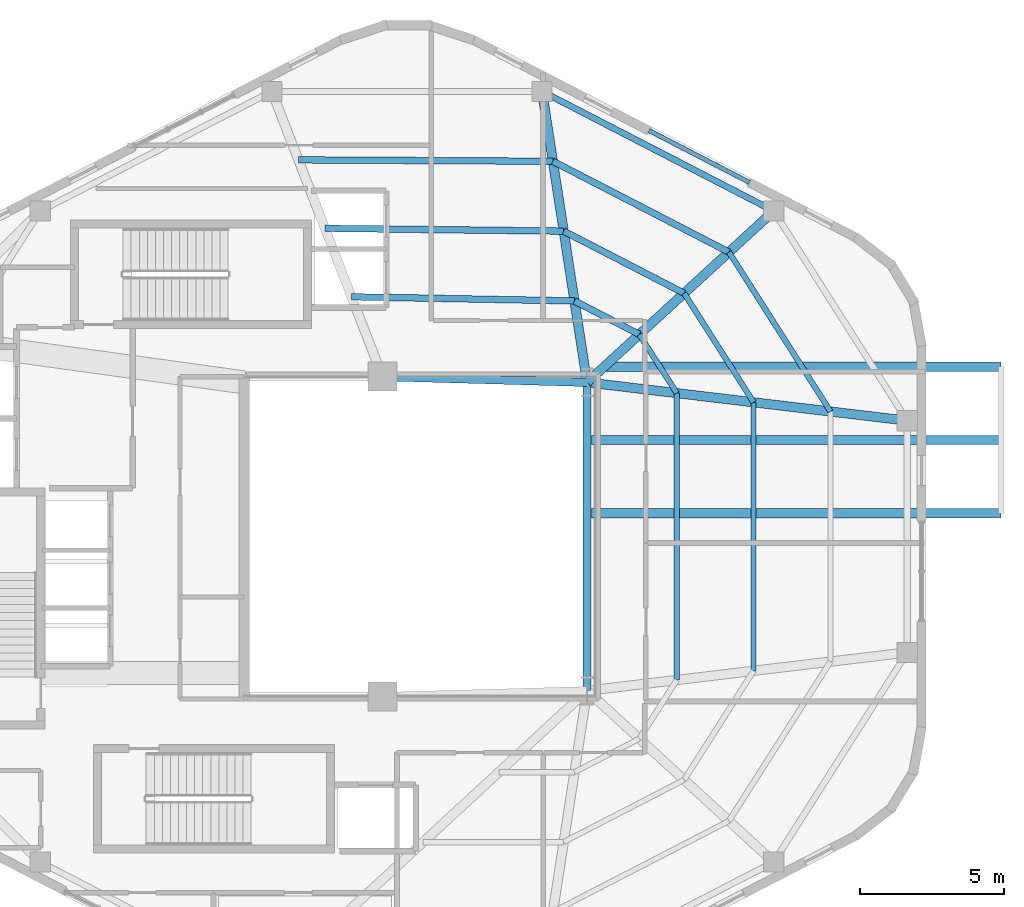
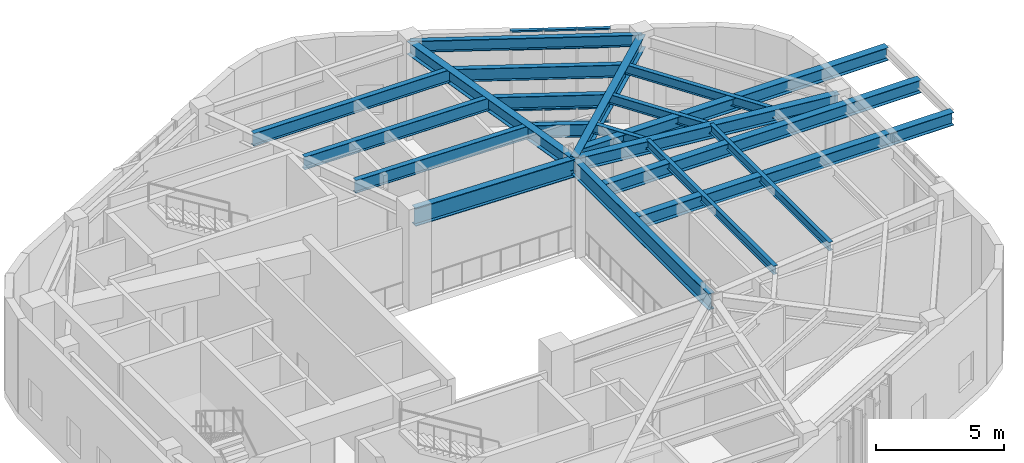
# One storey, part 7 of 18: 20 beams, 4 members, 1 element without a shape of its own.
"""IFC4 building model written with IfcOpenShell, lengths in metres."""

from ifc_helpers import new_model, si_unit, direction, frame, origin, origin_2d, place, context, subcontext, project, spatial, hollow_rectangle, i_section, extrude, material, layer, layer_set, material_profile, profile_set, type_object, element, aggregate, save


model = new_model("IFC4")

# Units and contexts
model_context = context("Model", 3, precision=1e-05, world=origin(), true_north=direction((0.0, 1.0)))
body_context = subcontext(model_context, "Body", "Model", "MODEL_VIEW")
ifc_project = project(units=[si_unit("LENGTHUNIT", "METRE"), si_unit("AREAUNIT", "SQUARE_METRE"), si_unit("VOLUMEUNIT", "CUBIC_METRE"), si_unit("PLANEANGLEUNIT", "RADIAN"), si_unit("MASSUNIT", "GRAM", prefix="KILO"), si_unit("THERMODYNAMICTEMPERATUREUNIT", "KELVIN"), si_unit("POWERUNIT", "WATT")], contexts=[model_context])

# Site, building, storey
site_placement = place(None, origin())
site = spatial("IfcSite", under=ifc_project, at=site_placement, CompositionType="ELEMENT")
building_placement = place(site_placement, origin())
building = spatial("IfcBuilding", under=site, at=building_placement, Name="Skarre Station Tower", CompositionType="ELEMENT")
storey_placement = place(building_placement, frame((0.0, 0.0, 270.300048828125)))
storey = spatial("IfcBuildingStorey", under=building, at=storey_placement, Name="L74", CompositionType="ELEMENT", Elevation=270.300048828125)

# Curtain wall, members
ifc_material_1 = material(Name="Thermally Broken Bronze-Anodized Aluminium & Triple Low-E Glass", Category="aluminium")
ifc_layer = layer(ifc_material_1, 0.219970703125, Name="Thermally Broken Bronze-Anodized Aluminium & Triple Low-E Glass")
ifc_layer_set = layer_set([ifc_layer], Name="Thermally Broken Bronze-Anodized Aluminium & Triple Low-E Glass")
curtain_wall_type = type_object("IfcCurtainWallType", Name="Observation Deck Panorama Unitised Curtain Wall", PredefinedType="NOTDEFINED", material=ifc_layer_set)
curtain_wall_placement = place(storey_placement, origin())
curtain_wall = element("IfcCurtainWall", 1, at=curtain_wall_placement, inside=storey, type_object=curtain_wall_type, Name="L74 Facet 0 Observatory Curtain Wall", PredefinedType="NOTDEFINED")
ifc_material_2 = material(Name="Anodized Aluminium 6063-T6", Category="aluminium")
ifc_material_profile_1 = material_profile(ifc_material_2, hollow_rectangle(XDim=0.074951171875, YDim=0.14990234375, WallThickness=0.00390625, at=origin_2d()), Name="Anodized Aluminium 6063-T6")
ifc_profile_set_1 = profile_set([ifc_material_profile_1], Name="Anodized Aluminium 6063-T6")
member_type = type_object("IfcMemberType", Name="Curtain-Wall Secondary Transom 150x75", PredefinedType="USERDEFINED", material=ifc_profile_set_1)
member_1_placement = place(storey_placement, frame((41.60009765625, 38.089111328125, 0.0400390625), z_axis=(0.888470771822, -0.458933206053, 0.0), x_axis=(0.0, 0.0, 1.0)))
member_1 = element("IfcMember", 2, at=member_1_placement, type_object=member_type, Name="L74 Facet 0 Observatory Curtain Wall Transom 1", ObjectType="TRANSOM", PredefinedType="USERDEFINED", context=body_context, shape_type="SweptSolid", body=[
    extrude(hollow_rectangle(XDim=0.074951171875, YDim=0.14990234375, WallThickness=0.00390625, at=origin_2d()), origin(), (0.0, 0.0, 1.0), 3.920166015625),
])
member_2_placement = place(storey_placement, frame((41.60009765625, 38.089111328125, 0.699951171875), z_axis=(0.888470771822, -0.458933206053, 0.0), x_axis=(0.0, 0.0, 1.0)))
member_2 = element("IfcMember", 3, at=member_2_placement, type_object=member_type, Name="L74 Facet 0 Observatory Curtain Wall Transom 2", ObjectType="TRANSOM", PredefinedType="USERDEFINED", context=body_context, shape_type="SweptSolid", body=[
    extrude(hollow_rectangle(XDim=0.074951171875, YDim=0.14990234375, WallThickness=0.00390625, at=origin_2d()), origin(), (0.0, 0.0, 1.0), 3.920166015625),
])
member_3_placement = place(storey_placement, frame((41.60009765625, 38.089111328125, 3.58984375), z_axis=(0.888470771822, -0.458933206053, 0.0), x_axis=(0.0, 0.0, 1.0)))
member_3 = element("IfcMember", 4, at=member_3_placement, type_object=member_type, Name="L74 Facet 0 Observatory Curtain Wall Transom 3", ObjectType="TRANSOM", PredefinedType="USERDEFINED", context=body_context, shape_type="SweptSolid", body=[
    extrude(hollow_rectangle(XDim=0.074951171875, YDim=0.14990234375, WallThickness=0.00390625, at=origin_2d()), origin(), (0.0, 0.0, 1.0), 3.920166015625),
])
member_4_placement = place(storey_placement, frame((41.60009765625, 38.089111328125, 4.449951171875), z_axis=(0.888470771822, -0.458933206053, 0.0), x_axis=(0.0, 0.0, 1.0)))
member_4 = element("IfcMember", 5, at=member_4_placement, type_object=member_type, Name="L74 Facet 0 Observatory Curtain Wall Transom 4", ObjectType="TRANSOM", PredefinedType="USERDEFINED", context=body_context, shape_type="SweptSolid", body=[
    extrude(hollow_rectangle(XDim=0.074951171875, YDim=0.14990234375, WallThickness=0.00390625, at=origin_2d()), origin(), (0.0, 0.0, 1.0), 3.920166015625),
])
aggregate(curtain_wall, [member_1, member_2, member_3, member_4])

# Beams
ifc_material_3 = material(Name="Steel ASTM A992 Grade 50", Category="steel")
ifc_material_profile_2 = material_profile(ifc_material_3, i_section(OverallWidth=0.323974609375, OverallDepth=0.611083984375, WebThickness=0.012939453125, FlangeThickness=0.01904296875, at=origin_2d()), Name="Steel ASTM A992 Grade 50")
ifc_profile_set_2 = profile_set([ifc_material_profile_2], Name="Steel ASTM A992 Grade 50")
beam_type_1 = type_object("IfcBeamType", Name="Steel Beam W24X104", PredefinedType="BEAM", material=ifc_profile_set_2)
beam_1_placement = place(storey_placement, frame((39.449951171875, 29.35009765625, 4.18505859375), z_axis=(0.736547671183, 0.676385635621, 0.0), x_axis=(-0.676385635621, 0.736547671183, 0.0)))
element("IfcBeam", 6, at=beam_1_placement, inside=storey, type_object=beam_type_1, Name="L74 Radial Floor Girder F0C1", PredefinedType="BEAM", context=body_context, shape_type="SweptSolid", body=[
    extrude(i_section(OverallWidth=0.323974609375, OverallDepth=0.611083984375, WebThickness=0.012939453125, FlangeThickness=0.01904296875, at=origin_2d()), origin(), (0.0, 0.0, 1.0), 8.793701171875),
])
beam_2_placement = place(storey_placement, frame((39.449951171875, 29.35009765625, 4.18505859375), z_axis=(-0.152789762931, 0.988258715288, 0.0), x_axis=(-0.988258715288, -0.152789762931, 0.0)))
element("IfcBeam", 7, at=beam_2_placement, inside=storey, type_object=beam_type_1, Name="L74 Radial Floor Girder F0C2", PredefinedType="BEAM", context=body_context, shape_type="SweptSolid", body=[
    extrude(i_section(OverallWidth=0.323974609375, OverallDepth=0.611083984375, WebThickness=0.012939453125, FlangeThickness=0.01904296875, at=origin_2d()), origin(), (0.0, 0.0, 1.0), 10.216796875),
])
beam_3_placement = place(storey_placement, frame((39.449951171875, 29.35009765625, 4.18505859375), z_axis=(0.99292393128, -0.118752122891, 0.0), x_axis=(0.118752122891, 0.99292393128, 0.0)))
element("IfcBeam", 8, at=beam_3_placement, inside=storey, type_object=beam_type_1, Name="L74 Radial Floor Girder F5C2", PredefinedType="BEAM", context=body_context, shape_type="SweptSolid", body=[
    extrude(i_section(OverallWidth=0.323974609375, OverallDepth=0.611083984375, WebThickness=0.012939453125, FlangeThickness=0.01904296875, at=origin_2d()), origin(), (0.0, 0.0, 1.0), 11.192138671875),
])
beam_4_placement = place(storey_placement, frame((39.449951171875, 27.35107421875, 4.1298828125), z_axis=(1.0, 0.0, 0.0), x_axis=(0.0, 1.0, 0.0)))
element("IfcBeam", 9, at=beam_4_placement, inside=storey, type_object=beam_type_1, Name="L74 LOOKOUT-L75 Center Outrigger Beam", PredefinedType="BEAM", context=body_context, shape_type="SweptSolid", body=[
    extrude(i_section(OverallWidth=0.323974609375, OverallDepth=0.611083984375, WebThickness=0.012939453125, FlangeThickness=0.01904296875, at=origin_2d()), origin(), (0.0, 0.0, 1.0), 14.373046875),
])
beam_5_placement = place(storey_placement, frame((40.047119140625, 29.89794921875, 4.1298828125), z_axis=(1.0, 0.0, 0.0), x_axis=(0.0, 1.0, 0.0)))
element("IfcBeam", 10, at=beam_5_placement, inside=storey, type_object=beam_type_1, Name="L74 LOOKOUT-L75 Outrigger Beam 1", PredefinedType="BEAM", context=body_context, shape_type="SweptSolid", body=[
    extrude(i_section(OverallWidth=0.323974609375, OverallDepth=0.611083984375, WebThickness=0.012939453125, FlangeThickness=0.01904296875, at=origin_2d()), origin(), (0.0, 0.0, 1.0), 13.77587890625),
])
beam_6_placement = place(storey_placement, frame((39.449951171875, 24.803955078125, 4.1298828125), z_axis=(1.0, 0.0, 0.0), x_axis=(0.0, 1.0, 0.0)))
element("IfcBeam", 11, at=beam_6_placement, inside=storey, type_object=beam_type_1, Name="L74 LOOKOUT-L75 Outrigger Beam 2", PredefinedType="BEAM", context=body_context, shape_type="SweptSolid", body=[
    extrude(i_section(OverallWidth=0.323974609375, OverallDepth=0.611083984375, WebThickness=0.012939453125, FlangeThickness=0.01904296875, at=origin_2d()), origin(), (0.0, 0.0, 1.0), 14.373046875),
])
ifc_material_profile_3 = material_profile(ifc_material_3, i_section(OverallWidth=0.26806640625, OverallDepth=0.77001953125, WebThickness=0.01611328125, FlangeThickness=0.02490234375, at=origin_2d()), Name="Steel ASTM A992 Grade 50")
ifc_profile_set_3 = profile_set([ifc_material_profile_3], Name="Steel ASTM A992 Grade 50")
beam_type_2 = type_object("IfcBeamType", Name="Steel Beam W30X132", PredefinedType="BEAM", material=ifc_profile_set_3)
beam_7_placement = place(storey_placement, frame((39.449951171875, 18.64990234375, 4.10498046875), z_axis=(0.0, 1.0, 0.0), x_axis=(-1.0, 0.0, 0.0)))
element("IfcBeam", 12, at=beam_7_placement, inside=storey, type_object=beam_type_2, Name="L74 Atrium East Edge Girder", PredefinedType="BEAM", context=body_context, shape_type="SweptSolid", body=[
    extrude(i_section(OverallWidth=0.26806640625, OverallDepth=0.77001953125, WebThickness=0.01611328125, FlangeThickness=0.02490234375, at=origin_2d()), origin(), (0.0, 0.0, 1.0), 10.7001953125),
])
ifc_material_profile_4 = material_profile(ifc_material_3, i_section(OverallWidth=0.2919921875, OverallDepth=0.85888671875, WebThickness=0.01708984375, FlangeThickness=0.031005859375, at=origin_2d()), Name="Steel ASTM A992 Grade 50")
ifc_profile_set_4 = profile_set([ifc_material_profile_4], Name="Steel ASTM A992 Grade 50")
beam_type_3 = type_object("IfcBeamType", Name="Steel Beam W33X169", PredefinedType="BEAM", material=ifc_profile_set_4)
beam_8_placement = place(storey_placement, frame((32.35009765625, 29.550048828125, 4.06103515625), z_axis=(0.999603666405, -0.028151556095, 0.0), x_axis=(0.028151556095, 0.999603666405, 0.0)))
element("IfcBeam", 13, at=beam_8_placement, inside=storey, type_object=beam_type_3, Name="L74 Atrium North Edge Girder", PredefinedType="BEAM", context=body_context, shape_type="SweptSolid", body=[
    extrude(i_section(OverallWidth=0.2919921875, OverallDepth=0.85888671875, WebThickness=0.01708984375, FlangeThickness=0.031005859375, at=origin_2d()), origin(), (0.0, 0.0, 1.0), 7.102783203125),
])
ifc_material_profile_5 = material_profile(ifc_material_3, i_section(OverallWidth=0.177978515625, OverallDepth=0.403076171875, WebThickness=0.008056640625, FlangeThickness=0.010986328125, at=origin_2d()), Name="Steel ASTM A992 Grade 50")
ifc_profile_set_5 = profile_set([ifc_material_profile_5], Name="Steel ASTM A992 Grade 50")
beam_type_4 = type_object("IfcBeamType", Name="Steel Joist W16X36", PredefinedType="JOIST", material=ifc_profile_set_5)
beam_9_placement = place(storey_placement, frame((42.56201171875, 19.02197265625, 4.2890625), z_axis=(0.0, 1.0, 0.0), x_axis=(-1.0, 0.0, 0.0)))
element("IfcBeam", 14, at=beam_9_placement, inside=storey, type_object=beam_type_4, Name="L74 Auxiliary Composite Joist 21", PredefinedType="JOIST", context=body_context, shape_type="SweptSolid", body=[
    extrude(i_section(OverallWidth=0.177978515625, OverallDepth=0.403076171875, WebThickness=0.008056640625, FlangeThickness=0.010986328125, at=origin_2d()), origin(), (0.0, 0.0, 1.0), 9.9560546875),
])
beam_10_placement = place(storey_placement, frame((45.22900390625, 19.341064453125, 4.2890625), z_axis=(0.0, 1.0, 0.0), x_axis=(-1.0, 0.0, 0.0)))
element("IfcBeam", 15, at=beam_10_placement, inside=storey, type_object=beam_type_4, Name="L74 Auxiliary Composite Joist 22", PredefinedType="JOIST", context=body_context, shape_type="SweptSolid", body=[
    extrude(i_section(OverallWidth=0.177978515625, OverallDepth=0.403076171875, WebThickness=0.008056640625, FlangeThickness=0.010986328125, at=origin_2d()), origin(), (0.0, 0.0, 1.0), 9.31787109375),
])
ifc_material_profile_6 = material_profile(ifc_material_3, i_section(OverallWidth=0.19091796875, OverallDepth=0.45703125, WebThickness=0.009033203125, FlangeThickness=0.013916015625, at=origin_2d()), Name="Steel ASTM A992 Grade 50")
ifc_profile_set_6 = profile_set([ifc_material_profile_6], Name="Steel ASTM A992 Grade 50")
beam_type_5 = type_object("IfcBeamType", Name="Steel Joist W18X50", PredefinedType="JOIST", material=ifc_profile_set_6)
beam_11_placement = place(storey_placement, frame((42.56201171875, 28.97802734375, 4.261962890625), z_axis=(-0.537437848622, 0.843303361116, 0.0), x_axis=(-0.843303361116, -0.537437848622, 0.0)))
element("IfcBeam", 16, at=beam_11_placement, inside=storey, type_object=beam_type_5, Name="L74 Auxiliary Composite Joist 24", PredefinedType="JOIST", context=body_context, shape_type="SweptSolid", body=[
    extrude(i_section(OverallWidth=0.19091796875, OverallDepth=0.45703125, WebThickness=0.009033203125, FlangeThickness=0.013916015625, at=origin_2d()), origin(), (0.0, 0.0, 1.0), 2.415283203125),
])
beam_12_placement = place(storey_placement, frame((45.22900390625, 28.658935546875, 4.261962890625), z_axis=(-0.53731551376, 0.843381312737, 0.0), x_axis=(-0.843381312737, -0.53731551376, 0.0)))
element("IfcBeam", 17, at=beam_12_placement, inside=storey, type_object=beam_type_5, Name="L74 Auxiliary Composite Joist 25", PredefinedType="JOIST", context=body_context, shape_type="SweptSolid", body=[
    extrude(i_section(OverallWidth=0.19091796875, OverallDepth=0.45703125, WebThickness=0.009033203125, FlangeThickness=0.013916015625, at=origin_2d()), origin(), (0.0, 0.0, 1.0), 4.48681640625),
])
beam_13_placement = place(storey_placement, frame((47.89599609375, 28.340087890625, 4.261962890625), z_axis=(-0.537292232804, 0.843396144507, 0.0), x_axis=(-0.843396144507, -0.537292232804, 0.0)))
element("IfcBeam", 18, at=beam_13_placement, inside=storey, type_object=beam_type_5, Name="L74 Auxiliary Composite Joist 26", PredefinedType="JOIST", context=body_context, shape_type="SweptSolid", body=[
    extrude(i_section(OverallWidth=0.19091796875, OverallDepth=0.45703125, WebThickness=0.009033203125, FlangeThickness=0.013916015625, at=origin_2d()), origin(), (0.0, 0.0, 1.0), 6.556884765625),
])
ifc_material_profile_7 = material_profile(ifc_material_3, i_section(OverallWidth=0.22802734375, OverallDepth=0.60791015625, WebThickness=0.010986328125, FlangeThickness=0.01708984375, at=origin_2d()), Name="Steel ASTM A992 Grade 50")
ifc_profile_set_7 = profile_set([ifc_material_profile_7], Name="Steel ASTM A992 Grade 50")
beam_type_6 = type_object("IfcBeamType", Name="Steel Joist W24X76", PredefinedType="JOIST", material=ifc_profile_set_7)
beam_14_placement = place(storey_placement, frame((41.263916015625, 31.014892578125, 4.18603515625), z_axis=(-0.888569970054, 0.458741112522, 0.0), x_axis=(-0.458741112522, -0.888569970054, 0.0)))
element("IfcBeam", 19, at=beam_14_placement, inside=storey, type_object=beam_type_6, Name="L74 Secondary Floor Joist 1", PredefinedType="JOIST", context=body_context, shape_type="SweptSolid", body=[
    extrude(i_section(OverallWidth=0.22802734375, OverallDepth=0.60791015625, WebThickness=0.010986328125, FlangeThickness=0.01708984375, at=origin_2d()), origin(), (0.0, 0.0, 1.0), 2.533203125),
])
beam_15_placement = place(storey_placement, frame((42.818115234375, 32.443115234375, 4.18603515625), z_axis=(-0.88866637077, 0.458554338614, 0.0), x_axis=(-0.458554338614, -0.88866637077, 0.0)))
element("IfcBeam", 20, at=beam_15_placement, inside=storey, type_object=beam_type_6, Name="L74 Secondary Floor Joist 2", PredefinedType="JOIST", context=body_context, shape_type="SweptSolid", body=[
    extrude(i_section(OverallWidth=0.22802734375, OverallDepth=0.60791015625, WebThickness=0.010986328125, FlangeThickness=0.01708984375, at=origin_2d()), origin(), (0.0, 0.0, 1.0), 4.703857421875),
])
beam_16_placement = place(storey_placement, frame((44.373046875, 33.8701171875, 4.18603515625), z_axis=(-0.888578636, 0.458724326414, 0.0), x_axis=(-0.458724326414, -0.888578636, 0.0)))
element("IfcBeam", 21, at=beam_16_placement, inside=storey, type_object=beam_type_6, Name="L74 Secondary Floor Joist 3", PredefinedType="JOIST", context=body_context, shape_type="SweptSolid", body=[
    extrude(i_section(OverallWidth=0.22802734375, OverallDepth=0.60791015625, WebThickness=0.010986328125, FlangeThickness=0.01708984375, at=origin_2d()), origin(), (0.0, 0.0, 1.0), 6.875244140625),
])
beam_17_placement = place(storey_placement, frame((39.012939453125, 32.177001953125, 4.18603515625), z_axis=(-0.999826787326, 0.018611699149, 0.0), x_axis=(-0.018611699149, -0.999826787326, 0.0)))
element("IfcBeam", 22, at=beam_17_placement, inside=storey, type_object=beam_type_6, Name="L74 Secondary Floor Joist 4", PredefinedType="JOIST", context=body_context, shape_type="SweptSolid", body=[
    extrude(i_section(OverallWidth=0.22802734375, OverallDepth=0.60791015625, WebThickness=0.010986328125, FlangeThickness=0.01708984375, at=origin_2d()), origin(), (0.0, 0.0, 1.0), 7.7392578125),
])
beam_18_placement = place(storey_placement, frame((38.637939453125, 34.60009765625, 4.18603515625), z_axis=(-0.999932931577, 0.011581552035, 0.0), x_axis=(-0.011581552035, -0.999932931577, 0.0)))
element("IfcBeam", 23, at=beam_18_placement, inside=storey, type_object=beam_type_6, Name="L74 Secondary Floor Joist 5", PredefinedType="JOIST", context=body_context, shape_type="SweptSolid", body=[
    extrude(i_section(OverallWidth=0.22802734375, OverallDepth=0.60791015625, WebThickness=0.010986328125, FlangeThickness=0.01708984375, at=origin_2d()), origin(), (0.0, 0.0, 1.0), 8.284423828125),
])
beam_19_placement = place(storey_placement, frame((38.263916015625, 37.02392578125, 4.18603515625), z_axis=(-0.999985173054, 0.005445518551, 0.0), x_axis=(-0.005445518551, -0.999985173054, 0.0)))
element("IfcBeam", 24, at=beam_19_placement, inside=storey, type_object=beam_type_6, Name="L74 Secondary Floor Joist 6", PredefinedType="JOIST", context=body_context, shape_type="SweptSolid", body=[
    extrude(i_section(OverallWidth=0.22802734375, OverallDepth=0.60791015625, WebThickness=0.010986328125, FlangeThickness=0.01708984375, at=origin_2d()), origin(), (0.0, 0.0, 1.0), 8.832275390625),
])
ifc_material_profile_8 = material_profile(ifc_material_3, i_section(OverallWidth=0.214111328125, OverallDepth=0.549072265625, WebThickness=0.014892578125, FlangeThickness=0.02392578125, at=origin_2d()), Name="Steel ASTM A992 Grade 50")
ifc_profile_set_8 = profile_set([ifc_material_profile_8], Name="Steel ASTM A992 Grade 50")
beam_type_7 = type_object("IfcBeamType", Name="Steel Spandrel W21X93", PredefinedType="SPANDREL", material=ifc_profile_set_8)
beam_20_placement = place(storey_placement, frame((45.927001953125, 35.298095703125, 4.216064453125), z_axis=(-0.888610011727, 0.458663544505, 0.0), x_axis=(-0.458663544505, -0.888610011727, 0.0)))
element("IfcBeam", 25, at=beam_20_placement, inside=storey, type_object=beam_type_7, Name="L74 Facet Spandrel Beam 1", PredefinedType="SPANDREL", context=body_context, shape_type="SweptSolid", body=[
    extrude(i_section(OverallWidth=0.214111328125, OverallDepth=0.549072265625, WebThickness=0.014892578125, FlangeThickness=0.02392578125, at=origin_2d()), origin(), (0.0, 0.0, 1.0), 9.045654296875),
])

save(model, "model.ifc")
